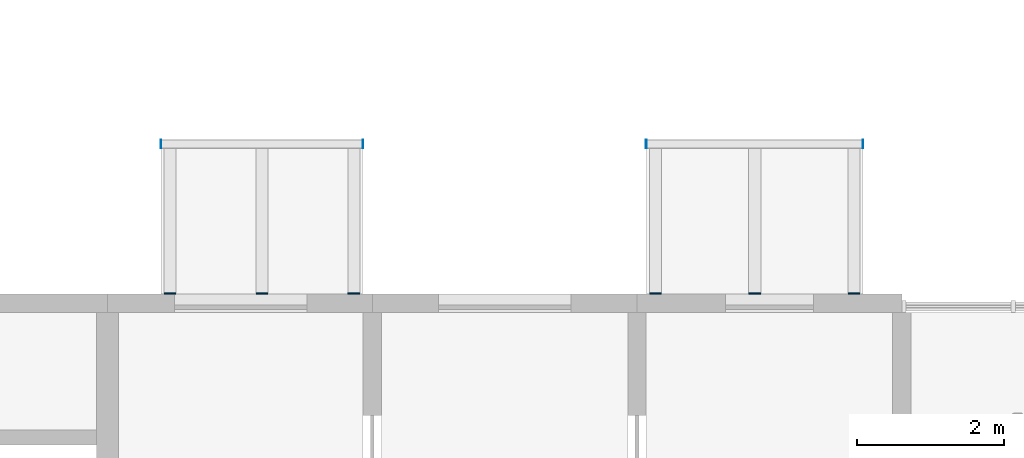
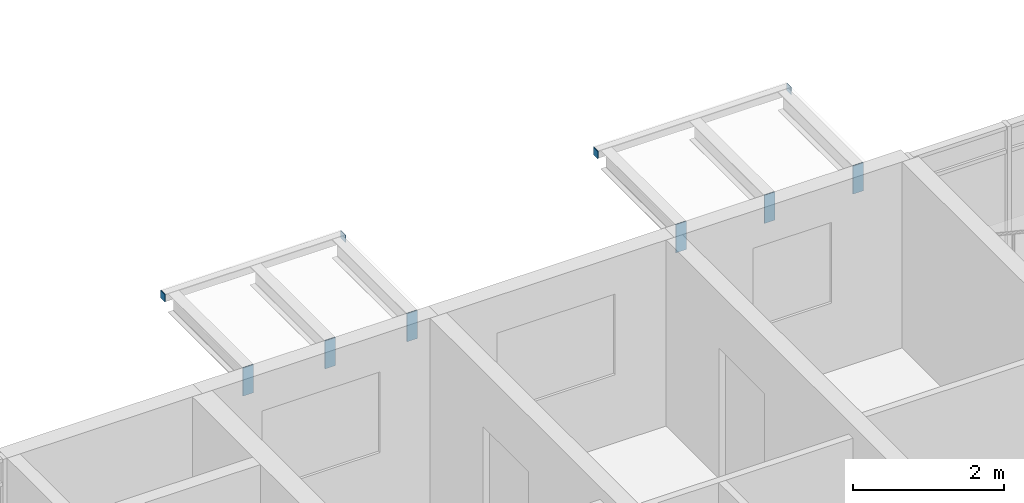
# One storey, part 85 of 115: 10 discrete accessories.
"""IFC4 building model written with IfcOpenShell, lengths in metres."""

from ifc_helpers import new_model, si_unit, direction, frame, origin, origin_2d, place, context, subcontext, project, spatial, rectangle, extrude, material, layer, layer_set, type_object, element, save


model = new_model("IFC4")

# Units and contexts
model_context = context("Model", 3, precision=1e-05, world=origin(), true_north=direction((0.0, 1.0)))
body_context = subcontext(model_context, "Body", "Model", "MODEL_VIEW")
ifc_project = project(units=[si_unit("LENGTHUNIT", "METRE"), si_unit("AREAUNIT", "SQUARE_METRE"), si_unit("VOLUMEUNIT", "CUBIC_METRE"), si_unit("PLANEANGLEUNIT", "RADIAN"), si_unit("MASSUNIT", "GRAM", prefix="KILO")], contexts=[model_context])

# Site, building, storey
site_placement = place(None, origin())
site = spatial("IfcSite", under=ifc_project, at=site_placement, CompositionType="ELEMENT")
building_placement = place(site_placement, origin())
building = spatial("IfcBuilding", under=site, at=building_placement, Name="Ridgestep Commons", CompositionType="ELEMENT")
storey_placement = place(building_placement, frame((0.0, 0.0, 6.0)))
storey = spatial("IfcBuildingStorey", under=building, at=storey_placement, Name="L02", CompositionType="ELEMENT", Elevation=6.0)

# Discrete accessories
ifc_material_1 = material(Name="Weathering steel S355J2W", Category="steel")
ifc_layer_1 = layer(ifc_material_1, 0.014892578125)
ifc_layer_set_1 = layer_set([ifc_layer_1], Name="Tray bracket plate 15")
discrete_accessory_type_1 = type_object("IfcDiscreteAccessoryType", Name="Tray bracket plate 15", PredefinedType="BRACKET", material=ifc_layer_set_1)
for number, where, z_axis, x_axis, name in (
    (1, (198.050048828125, 23.007568359375, 2.53662109375), (0.0, 0.0, 1.0), (1.0, 0.0, 0.0), "Tray bracket D4T1-03.1"),
    (2, (199.300048828125, 23.007568359375, 2.53662109375), (0.0, 0.0, 1.0), (1.0, 0.0, 0.0), "Tray bracket D4T1-03.2"),
    (3, (200.550048828125, 23.007568359375, 2.53662109375), (0.0, 0.0, 1.0), (1.0, 0.0, 0.0), "Tray bracket D4T1-03.3"),
    (4, (204.64990234375, 23.007568359375, 2.53662109375), (0.0, 0.0, 1.0), (1.0, 0.0, 0.0), "Tray bracket D4T3-03.1"),
    (5, (206.0, 23.007568359375, 2.53662109375), (0.0, 0.0, 1.0), (1.0, 0.0, 0.0), "Tray bracket D4T3-03.2"),
    (6, (207.35009765625, 23.007568359375, 2.53662109375), (0.0, 0.0, 1.0), (1.0, 0.0, 0.0), "Tray bracket D4T3-03.3"),
):
    element("IfcDiscreteAccessory", number, at=place(storey_placement, frame(where, z_axis=z_axis, x_axis=x_axis)), inside=storey, type_object=discrete_accessory_type_1, Name=name, PredefinedType="BRACKET", context=body_context, shape_type="SweptSolid", body=[
        extrude(rectangle(XDim=0.159912109375, YDim=0.014892578125, at=origin_2d()), origin(), (0.0, 0.0, 1.0), 0.453369140625),
    ])
ifc_material_2 = material(Name="Weathering steel S355J2W", Category="steel")
ifc_layer_2 = layer(ifc_material_2, 0.008056640625)
ifc_layer_set_2 = layer_set([ifc_layer_2], Name="Tray edge member end plate 120 x 120 x 8")
discrete_accessory_type_2 = type_object("IfcDiscreteAccessoryType", Name="Tray edge member end plate 120 x 120 x 8", PredefinedType="BRACKET", material=ifc_layer_set_2)
for number, where, z_axis, x_axis, name in (
    (7, (197.926025390625, 25.0400390625, 2.869873046875), (0.0, 0.0, 1.0), (1.0, 0.0, 0.0), "Tray edge member end plate D4T1-03 west"),
    (8, (200.674072265625, 25.0400390625, 2.869873046875), (0.0, 0.0, 1.0), (1.0, 0.0, 0.0), "Tray edge member end plate D4T1-03 east"),
    (9, (204.52587890625, 25.0400390625, 2.869873046875), (0.0, 0.0, 1.0), (1.0, 0.0, 0.0), "Tray edge member end plate D4T3-03 west"),
    (10, (207.47412109375, 25.0400390625, 2.869873046875), (0.0, 0.0, 1.0), (1.0, 0.0, 0.0), "Tray edge member end plate D4T3-03 east"),
):
    element("IfcDiscreteAccessory", number, at=place(storey_placement, frame(where, z_axis=z_axis, x_axis=x_axis)), inside=storey, type_object=discrete_accessory_type_2, Name=name, PredefinedType="BRACKET", context=body_context, shape_type="SweptSolid", body=[
        extrude(rectangle(XDim=0.008056640625, YDim=0.1201171875, at=origin_2d()), origin(), (0.0, 0.0, 1.0), 0.1201171875),
    ])

save(model, "model.ifc")
